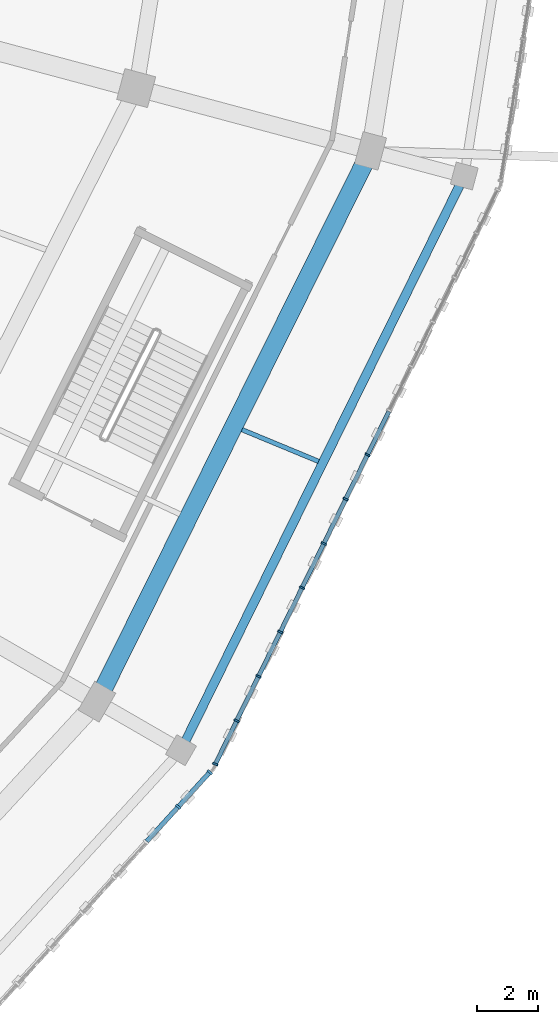
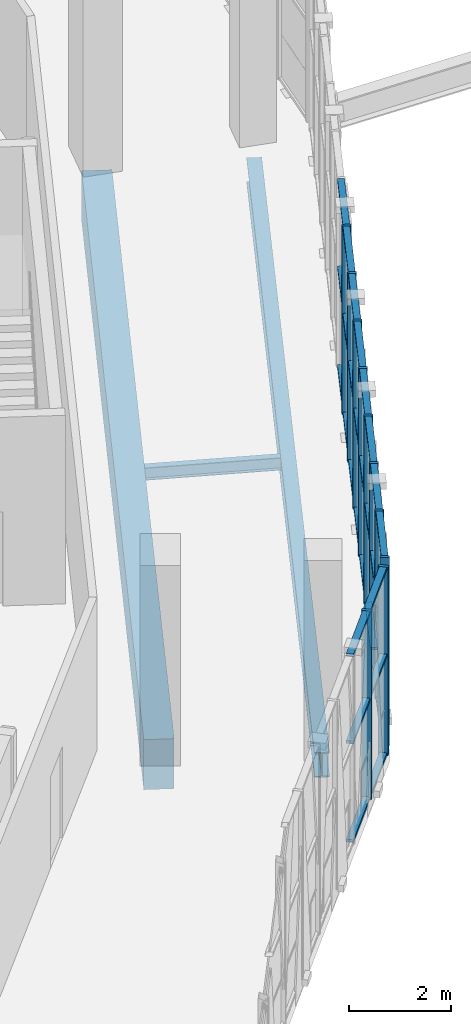
# One storey, part 37 of 183: 40 members, 3 beams, 2 elements without a shape of their own.
"""IFC4 building model written with IfcOpenShell, lengths in metres."""

from ifc_helpers import new_model, si_unit, direction, frame, origin, origin_2d, place, context, subcontext, project, spatial, rectangle, i_section, extrude, material, material_profile, profile_set, type_object, element, aggregate, save


model = new_model("IFC4")

# Units and contexts
model_context = context("Model", 3, precision=1e-05, world=origin(), true_north=direction((0.0, 1.0)))
body_context = subcontext(model_context, "Body", "Model", "MODEL_VIEW")
ifc_project = project(units=[si_unit("LENGTHUNIT", "METRE"), si_unit("AREAUNIT", "SQUARE_METRE"), si_unit("VOLUMEUNIT", "CUBIC_METRE"), si_unit("PLANEANGLEUNIT", "RADIAN"), si_unit("MASSUNIT", "GRAM", prefix="KILO")], contexts=[model_context])

# Site, building, storey
site_placement = place(None, origin())
site = spatial("IfcSite", under=ifc_project, at=site_placement, CompositionType="ELEMENT")
building_placement = place(site_placement, origin())
building = spatial("IfcBuilding", under=site, at=building_placement, Name="Zevraka Park Crest Stadium", CompositionType="ELEMENT")
storey_placement = place(building_placement, frame((0.0, 0.0, 5.39990234375)))
storey = spatial("IfcBuildingStorey", under=building, at=storey_placement, Name="L01", CompositionType="ELEMENT", Elevation=5.39990234375)

# Curtain wall, members
ifc_material_1 = material(Name="Anodised architectural aluminium and laminated safety glass", Category="aluminium")
curtain_wall_type_1 = type_object("IfcCurtainWallType", Name="CW02", PredefinedType="NOTDEFINED", material=ifc_material_1)
curtain_wall_1_placement = place(storey_placement, origin())
curtain_wall_1 = element("IfcCurtainWall", 1, at=curtain_wall_1_placement, inside=storey, type_object=curtain_wall_type_1, Name="Unitised Ring Curtain Wall CW02 L01-22", PredefinedType="NOTDEFINED")
ifc_material_2 = material(Name="Anodised architectural aluminium", Category="aluminium")
ifc_material_profile_1 = material_profile(ifc_material_2, rectangle(XDim=0.179931640625, YDim=0.06494140625, at=origin_2d()), Name="ALU MULLION 180x65")
ifc_profile_set_1 = profile_set([ifc_material_profile_1], Name="Anodised architectural aluminium")
member_type_1 = type_object("IfcMemberType", Name="CM02", PredefinedType="MULLION", material=ifc_profile_set_1)
member_1_placement = place(storey_placement, frame((194.103271484375, 52.2900390625, 0.0), z_axis=(0.0, 0.0, 1.0), x_axis=(-0.897252732312, 0.44151730924, 0.0)))
member_1 = element("IfcMember", 2, at=member_1_placement, type_object=member_type_1, Name="CW02 mullion 1", PredefinedType="MULLION", context=body_context, shape_type="SweptSolid", body=[
    extrude(rectangle(XDim=0.179931640625, YDim=0.06494140625, at=origin_2d()), origin(), (0.0, 0.0, 1.0), 4.52001953125),
])
member_2_placement = place(storey_placement, frame((194.80810546875, 53.72216796875, 0.0), z_axis=(0.0, 0.0, 1.0), x_axis=(-0.897252732312, 0.44151730924, 0.0)))
member_2 = element("IfcMember", 3, at=member_2_placement, type_object=member_type_1, Name="CW02 mullion 2", PredefinedType="MULLION", context=body_context, shape_type="SweptSolid", body=[
    extrude(rectangle(XDim=0.179931640625, YDim=0.06494140625, at=origin_2d()), origin(), (0.0, 0.0, 1.0), 4.52001953125),
])
member_3_placement = place(storey_placement, frame((195.527099609375, 55.183349609375, 0.0), z_axis=(0.0, 0.0, 1.0), x_axis=(-0.897252732312, 0.44151730924, 0.0)))
member_3 = element("IfcMember", 4, at=member_3_placement, type_object=member_type_1, Name="CW02 mullion 3", PredefinedType="MULLION", context=body_context, shape_type="SweptSolid", body=[
    extrude(rectangle(XDim=0.179931640625, YDim=0.06494140625, at=origin_2d()), origin(), (0.0, 0.0, 1.0), 4.52001953125),
])
member_4_placement = place(storey_placement, frame((196.24609375, 56.64453125, 0.0), z_axis=(0.0, 0.0, 1.0), x_axis=(-0.897252732312, 0.44151730924, 0.0)))
member_4 = element("IfcMember", 5, at=member_4_placement, type_object=member_type_1, Name="CW02 mullion 4", PredefinedType="MULLION", context=body_context, shape_type="SweptSolid", body=[
    extrude(rectangle(XDim=0.179931640625, YDim=0.06494140625, at=origin_2d()), origin(), (0.0, 0.0, 1.0), 4.52001953125),
])
member_5_placement = place(storey_placement, frame((196.965087890625, 58.105712890625, 0.0), z_axis=(0.0, 0.0, 1.0), x_axis=(-0.897252732312, 0.44151730924, 0.0)))
member_5 = element("IfcMember", 6, at=member_5_placement, type_object=member_type_1, Name="CW02 mullion 5", PredefinedType="MULLION", context=body_context, shape_type="SweptSolid", body=[
    extrude(rectangle(XDim=0.179931640625, YDim=0.06494140625, at=origin_2d()), origin(), (0.0, 0.0, 1.0), 4.52001953125),
])
member_6_placement = place(storey_placement, frame((197.68408203125, 59.566650390625, 0.0), z_axis=(0.0, 0.0, 1.0), x_axis=(-0.897252732312, 0.44151730924, 0.0)))
member_6 = element("IfcMember", 7, at=member_6_placement, type_object=member_type_1, Name="CW02 mullion 6", PredefinedType="MULLION", context=body_context, shape_type="SweptSolid", body=[
    extrude(rectangle(XDim=0.179931640625, YDim=0.06494140625, at=origin_2d()), origin(), (0.0, 0.0, 1.0), 4.52001953125),
])
member_7_placement = place(storey_placement, frame((198.403076171875, 61.02783203125, 0.0), z_axis=(0.0, 0.0, 1.0), x_axis=(-0.897252732312, 0.44151730924, 0.0)))
member_7 = element("IfcMember", 8, at=member_7_placement, type_object=member_type_1, Name="CW02 mullion 7", PredefinedType="MULLION", context=body_context, shape_type="SweptSolid", body=[
    extrude(rectangle(XDim=0.179931640625, YDim=0.06494140625, at=origin_2d()), origin(), (0.0, 0.0, 1.0), 4.52001953125),
])
member_8_placement = place(storey_placement, frame((199.1220703125, 62.489013671875, 0.0), z_axis=(0.0, 0.0, 1.0), x_axis=(-0.897252732312, 0.44151730924, 0.0)))
member_8 = element("IfcMember", 9, at=member_8_placement, type_object=member_type_1, Name="CW02 mullion 8", PredefinedType="MULLION", context=body_context, shape_type="SweptSolid", body=[
    extrude(rectangle(XDim=0.179931640625, YDim=0.06494140625, at=origin_2d()), origin(), (0.0, 0.0, 1.0), 4.52001953125),
])

ifc_material_3 = material(Name="Anodised architectural aluminium and laminated safety glass", Category="aluminium")
curtain_wall_type_2 = type_object("IfcCurtainWallType", Name="CW03", PredefinedType="NOTDEFINED", material=ifc_material_3)
curtain_wall_2_placement = place(storey_placement, origin())
curtain_wall_2 = element("IfcCurtainWall", 10, at=curtain_wall_2_placement, inside=storey, type_object=curtain_wall_type_2, Name="Unitised Ring Curtain Wall CW03 L01-21", PredefinedType="NOTDEFINED")
ifc_material_4 = material(Name="Anodised architectural aluminium", Category="aluminium")
ifc_material_profile_2 = material_profile(ifc_material_4, rectangle(XDim=0.199951171875, YDim=0.070068359375, at=origin_2d()), Name="ALU MULLION 200x70")
ifc_profile_set_2 = profile_set([ifc_material_profile_2], Name="Anodised architectural aluminium")
member_type_2 = type_object("IfcMemberType", Name="CM03", PredefinedType="MULLION", material=ifc_profile_set_2)
member_9_placement = place(storey_placement, frame((192.88330078125, 50.88427734375, 0.0), z_axis=(0.0, 0.0, 1.0), x_axis=(-0.739023476371, 0.673679672672, 0.0)))
member_9 = element("IfcMember", 11, at=member_9_placement, type_object=member_type_2, Name="CW03 mullion 14", PredefinedType="MULLION", context=body_context, shape_type="SweptSolid", body=[
    extrude(rectangle(XDim=0.199951171875, YDim=0.070068359375, at=origin_2d()), origin(), (0.0, 0.0, 1.0), 4.52001953125),
])
member_10_placement = place(storey_placement, frame((193.92236328125, 52.024169921875, 0.0), z_axis=(0.0, 0.0, 1.0), x_axis=(-0.739023476371, 0.673679672672, 0.0)))
member_10 = element("IfcMember", 12, at=member_10_placement, type_object=member_type_2, Name="CW03 mullion 15", PredefinedType="MULLION", context=body_context, shape_type="SweptSolid", body=[
    extrude(rectangle(XDim=0.199951171875, YDim=0.070068359375, at=origin_2d()), origin(), (0.0, 0.0, 1.0), 4.52001953125),
])

# Member
ifc_material_5 = material(Name="Anodised architectural aluminium", Category="aluminium")
ifc_material_profile_3 = material_profile(ifc_material_5, rectangle(XDim=0.139892578125, YDim=0.06494140625, at=origin_2d()), Name="ALU TRANSOM 140x65")
ifc_profile_set_3 = profile_set([ifc_material_profile_3], Name="Anodised architectural aluminium")
member_type_3 = type_object("IfcMemberType", Name="CT02", PredefinedType="USERDEFINED", material=ifc_profile_set_3)
member_11_placement = place(storey_placement, frame((194.11767578125, 52.3193359375, 0.03271484375), z_axis=(0.441591204786, 0.897216366244, 0.0), x_axis=(-0.897216366244, 0.441591204786, 0.0)))
member_11 = element("IfcMember", 13, at=member_11_placement, type_object=member_type_3, Name="CW02 transom 1.1", ObjectType="TRANSOM", PredefinedType="USERDEFINED", context=body_context, shape_type="SweptSolid", body=[
    extrude(rectangle(XDim=0.139892578125, YDim=0.06494140625, at=origin_2d()), origin(), (0.0, 0.0, 1.0), 1.531005859375),
])

member_12_placement = place(storey_placement, frame((194.11767578125, 52.3193359375, 2.400146484375), z_axis=(0.441591204786, 0.897216366244, 0.0), x_axis=(-0.897216366244, 0.441591204786, 0.0)))
member_12 = element("IfcMember", 14, at=member_12_placement, type_object=member_type_3, Name="CW02 transom 1.2", ObjectType="TRANSOM", PredefinedType="USERDEFINED", context=body_context, shape_type="SweptSolid", body=[
    extrude(rectangle(XDim=0.139892578125, YDim=0.06494140625, at=origin_2d()), origin(), (0.0, 0.0, 1.0), 1.531005859375),
])

member_13_placement = place(storey_placement, frame((194.11767578125, 52.3193359375, 4.487548828125), z_axis=(0.441591204786, 0.897216366244, 0.0), x_axis=(-0.897216366244, 0.441591204786, 0.0)))
member_13 = element("IfcMember", 15, at=member_13_placement, type_object=member_type_3, Name="CW02 transom 1.3", ObjectType="TRANSOM", PredefinedType="USERDEFINED", context=body_context, shape_type="SweptSolid", body=[
    extrude(rectangle(XDim=0.139892578125, YDim=0.06494140625, at=origin_2d()), origin(), (0.0, 0.0, 1.0), 1.531005859375),
])

member_14_placement = place(storey_placement, frame((194.822265625, 53.751220703125, 0.03271484375), z_axis=(0.441583474331, 0.897220170971, 0.0), x_axis=(-0.897220170971, 0.441583474331, 0.0)))
member_14 = element("IfcMember", 16, at=member_14_placement, type_object=member_type_3, Name="CW02 transom 2.1", ObjectType="TRANSOM", PredefinedType="USERDEFINED", context=body_context, shape_type="SweptSolid", body=[
    extrude(rectangle(XDim=0.139892578125, YDim=0.06494140625, at=origin_2d()), origin(), (0.0, 0.0, 1.0), 1.5634765625),
])

member_15_placement = place(storey_placement, frame((194.822265625, 53.751220703125, 2.400146484375), z_axis=(0.441583474331, 0.897220170971, 0.0), x_axis=(-0.897220170971, 0.441583474331, 0.0)))
member_15 = element("IfcMember", 17, at=member_15_placement, type_object=member_type_3, Name="CW02 transom 2.2", ObjectType="TRANSOM", PredefinedType="USERDEFINED", context=body_context, shape_type="SweptSolid", body=[
    extrude(rectangle(XDim=0.139892578125, YDim=0.06494140625, at=origin_2d()), origin(), (0.0, 0.0, 1.0), 1.5634765625),
])

member_16_placement = place(storey_placement, frame((194.822265625, 53.751220703125, 4.487548828125), z_axis=(0.441583474331, 0.897220170971, 0.0), x_axis=(-0.897220170971, 0.441583474331, 0.0)))
member_16 = element("IfcMember", 18, at=member_16_placement, type_object=member_type_3, Name="CW02 transom 2.3", ObjectType="TRANSOM", PredefinedType="USERDEFINED", context=body_context, shape_type="SweptSolid", body=[
    extrude(rectangle(XDim=0.139892578125, YDim=0.06494140625, at=origin_2d()), origin(), (0.0, 0.0, 1.0), 1.5634765625),
])

member_17_placement = place(storey_placement, frame((195.541259765625, 55.21240234375, 0.03271484375), z_axis=(0.441583474331, 0.897220170971, 0.0), x_axis=(-0.897220170971, 0.441583474331, 0.0)))
member_17 = element("IfcMember", 19, at=member_17_placement, type_object=member_type_3, Name="CW02 transom 3.1", ObjectType="TRANSOM", PredefinedType="USERDEFINED", context=body_context, shape_type="SweptSolid", body=[
    extrude(rectangle(XDim=0.139892578125, YDim=0.06494140625, at=origin_2d()), origin(), (0.0, 0.0, 1.0), 1.5634765625),
])

member_18_placement = place(storey_placement, frame((195.541259765625, 55.21240234375, 2.400146484375), z_axis=(0.441583474331, 0.897220170971, 0.0), x_axis=(-0.897220170971, 0.441583474331, 0.0)))
member_18 = element("IfcMember", 20, at=member_18_placement, type_object=member_type_3, Name="CW02 transom 3.2", ObjectType="TRANSOM", PredefinedType="USERDEFINED", context=body_context, shape_type="SweptSolid", body=[
    extrude(rectangle(XDim=0.139892578125, YDim=0.06494140625, at=origin_2d()), origin(), (0.0, 0.0, 1.0), 1.5634765625),
])

member_19_placement = place(storey_placement, frame((195.541259765625, 55.21240234375, 4.487548828125), z_axis=(0.441583474331, 0.897220170971, 0.0), x_axis=(-0.897220170971, 0.441583474331, 0.0)))
member_19 = element("IfcMember", 21, at=member_19_placement, type_object=member_type_3, Name="CW02 transom 3.3", ObjectType="TRANSOM", PredefinedType="USERDEFINED", context=body_context, shape_type="SweptSolid", body=[
    extrude(rectangle(XDim=0.139892578125, YDim=0.06494140625, at=origin_2d()), origin(), (0.0, 0.0, 1.0), 1.5634765625),
])

member_20_placement = place(storey_placement, frame((196.26025390625, 56.673583984375, 0.03271484375), z_axis=(0.441583474331, 0.897220170971, 0.0), x_axis=(-0.897220170971, 0.441583474331, 0.0)))
member_20 = element("IfcMember", 22, at=member_20_placement, type_object=member_type_3, Name="CW02 transom 4.1", ObjectType="TRANSOM", PredefinedType="USERDEFINED", context=body_context, shape_type="SweptSolid", body=[
    extrude(rectangle(XDim=0.139892578125, YDim=0.06494140625, at=origin_2d()), origin(), (0.0, 0.0, 1.0), 1.5634765625),
])

member_21_placement = place(storey_placement, frame((196.26025390625, 56.673583984375, 2.400146484375), z_axis=(0.441583474331, 0.897220170971, 0.0), x_axis=(-0.897220170971, 0.441583474331, 0.0)))
member_21 = element("IfcMember", 23, at=member_21_placement, type_object=member_type_3, Name="CW02 transom 4.2", ObjectType="TRANSOM", PredefinedType="USERDEFINED", context=body_context, shape_type="SweptSolid", body=[
    extrude(rectangle(XDim=0.139892578125, YDim=0.06494140625, at=origin_2d()), origin(), (0.0, 0.0, 1.0), 1.5634765625),
])

member_22_placement = place(storey_placement, frame((196.26025390625, 56.673583984375, 4.487548828125), z_axis=(0.441583474331, 0.897220170971, 0.0), x_axis=(-0.897220170971, 0.441583474331, 0.0)))
member_22 = element("IfcMember", 24, at=member_22_placement, type_object=member_type_3, Name="CW02 transom 4.3", ObjectType="TRANSOM", PredefinedType="USERDEFINED", context=body_context, shape_type="SweptSolid", body=[
    extrude(rectangle(XDim=0.139892578125, YDim=0.06494140625, at=origin_2d()), origin(), (0.0, 0.0, 1.0), 1.5634765625),
])

member_23_placement = place(storey_placement, frame((196.979248046875, 58.134765625, 0.03271484375), z_axis=(0.441583474331, 0.897220170971, 0.0), x_axis=(-0.897220170971, 0.441583474331, 0.0)))
member_23 = element("IfcMember", 25, at=member_23_placement, type_object=member_type_3, Name="CW02 transom 5.1", ObjectType="TRANSOM", PredefinedType="USERDEFINED", context=body_context, shape_type="SweptSolid", body=[
    extrude(rectangle(XDim=0.139892578125, YDim=0.06494140625, at=origin_2d()), origin(), (0.0, 0.0, 1.0), 1.5634765625),
])

member_24_placement = place(storey_placement, frame((196.979248046875, 58.134765625, 2.400146484375), z_axis=(0.441583474331, 0.897220170971, 0.0), x_axis=(-0.897220170971, 0.441583474331, 0.0)))
member_24 = element("IfcMember", 26, at=member_24_placement, type_object=member_type_3, Name="CW02 transom 5.2", ObjectType="TRANSOM", PredefinedType="USERDEFINED", context=body_context, shape_type="SweptSolid", body=[
    extrude(rectangle(XDim=0.139892578125, YDim=0.06494140625, at=origin_2d()), origin(), (0.0, 0.0, 1.0), 1.5634765625),
])

member_25_placement = place(storey_placement, frame((196.979248046875, 58.134765625, 4.487548828125), z_axis=(0.441583474331, 0.897220170971, 0.0), x_axis=(-0.897220170971, 0.441583474331, 0.0)))
member_25 = element("IfcMember", 27, at=member_25_placement, type_object=member_type_3, Name="CW02 transom 5.3", ObjectType="TRANSOM", PredefinedType="USERDEFINED", context=body_context, shape_type="SweptSolid", body=[
    extrude(rectangle(XDim=0.139892578125, YDim=0.06494140625, at=origin_2d()), origin(), (0.0, 0.0, 1.0), 1.5634765625),
])

member_26_placement = place(storey_placement, frame((197.6982421875, 59.595947265625, 0.03271484375), z_axis=(0.441583474331, 0.897220170971, 0.0), x_axis=(-0.897220170971, 0.441583474331, 0.0)))
member_26 = element("IfcMember", 28, at=member_26_placement, type_object=member_type_3, Name="CW02 transom 6.1", ObjectType="TRANSOM", PredefinedType="USERDEFINED", context=body_context, shape_type="SweptSolid", body=[
    extrude(rectangle(XDim=0.139892578125, YDim=0.06494140625, at=origin_2d()), origin(), (0.0, 0.0, 1.0), 1.5634765625),
])

member_27_placement = place(storey_placement, frame((197.6982421875, 59.595947265625, 2.400146484375), z_axis=(0.441583474331, 0.897220170971, 0.0), x_axis=(-0.897220170971, 0.441583474331, 0.0)))
member_27 = element("IfcMember", 29, at=member_27_placement, type_object=member_type_3, Name="CW02 transom 6.2", ObjectType="TRANSOM", PredefinedType="USERDEFINED", context=body_context, shape_type="SweptSolid", body=[
    extrude(rectangle(XDim=0.139892578125, YDim=0.06494140625, at=origin_2d()), origin(), (0.0, 0.0, 1.0), 1.5634765625),
])

member_28_placement = place(storey_placement, frame((197.6982421875, 59.595947265625, 4.487548828125), z_axis=(0.441583474331, 0.897220170971, 0.0), x_axis=(-0.897220170971, 0.441583474331, 0.0)))
member_28 = element("IfcMember", 30, at=member_28_placement, type_object=member_type_3, Name="CW02 transom 6.3", ObjectType="TRANSOM", PredefinedType="USERDEFINED", context=body_context, shape_type="SweptSolid", body=[
    extrude(rectangle(XDim=0.139892578125, YDim=0.06494140625, at=origin_2d()), origin(), (0.0, 0.0, 1.0), 1.5634765625),
])

member_29_placement = place(storey_placement, frame((198.417236328125, 61.05712890625, 0.03271484375), z_axis=(0.441583474331, 0.897220170971, 0.0), x_axis=(-0.897220170971, 0.441583474331, 0.0)))
member_29 = element("IfcMember", 31, at=member_29_placement, type_object=member_type_3, Name="CW02 transom 7.1", ObjectType="TRANSOM", PredefinedType="USERDEFINED", context=body_context, shape_type="SweptSolid", body=[
    extrude(rectangle(XDim=0.139892578125, YDim=0.06494140625, at=origin_2d()), origin(), (0.0, 0.0, 1.0), 1.5634765625),
])

member_30_placement = place(storey_placement, frame((198.417236328125, 61.05712890625, 2.400146484375), z_axis=(0.441583474331, 0.897220170971, 0.0), x_axis=(-0.897220170971, 0.441583474331, 0.0)))
member_30 = element("IfcMember", 32, at=member_30_placement, type_object=member_type_3, Name="CW02 transom 7.2", ObjectType="TRANSOM", PredefinedType="USERDEFINED", context=body_context, shape_type="SweptSolid", body=[
    extrude(rectangle(XDim=0.139892578125, YDim=0.06494140625, at=origin_2d()), origin(), (0.0, 0.0, 1.0), 1.5634765625),
])

member_31_placement = place(storey_placement, frame((198.417236328125, 61.05712890625, 4.487548828125), z_axis=(0.441583474331, 0.897220170971, 0.0), x_axis=(-0.897220170971, 0.441583474331, 0.0)))
member_31 = element("IfcMember", 33, at=member_31_placement, type_object=member_type_3, Name="CW02 transom 7.3", ObjectType="TRANSOM", PredefinedType="USERDEFINED", context=body_context, shape_type="SweptSolid", body=[
    extrude(rectangle(XDim=0.139892578125, YDim=0.06494140625, at=origin_2d()), origin(), (0.0, 0.0, 1.0), 1.5634765625),
])

member_32_placement = place(storey_placement, frame((199.13623046875, 62.518310546875, 0.03271484375), z_axis=(0.441583474331, 0.897220170971, 0.0), x_axis=(-0.897220170971, 0.441583474331, 0.0)))
member_32 = element("IfcMember", 34, at=member_32_placement, type_object=member_type_3, Name="CW02 transom 8.1", ObjectType="TRANSOM", PredefinedType="USERDEFINED", context=body_context, shape_type="SweptSolid", body=[
    extrude(rectangle(XDim=0.139892578125, YDim=0.06494140625, at=origin_2d()), origin(), (0.0, 0.0, 1.0), 1.5634765625),
])

member_33_placement = place(storey_placement, frame((199.13623046875, 62.518310546875, 2.400146484375), z_axis=(0.441583474331, 0.897220170971, 0.0), x_axis=(-0.897220170971, 0.441583474331, 0.0)))
member_33 = element("IfcMember", 35, at=member_33_placement, type_object=member_type_3, Name="CW02 transom 8.2", ObjectType="TRANSOM", PredefinedType="USERDEFINED", context=body_context, shape_type="SweptSolid", body=[
    extrude(rectangle(XDim=0.139892578125, YDim=0.06494140625, at=origin_2d()), origin(), (0.0, 0.0, 1.0), 1.5634765625),
])

member_34_placement = place(storey_placement, frame((199.13623046875, 62.518310546875, 4.487548828125), z_axis=(0.441583474331, 0.897220170971, 0.0), x_axis=(-0.897220170971, 0.441583474331, 0.0)))
member_34 = element("IfcMember", 36, at=member_34_placement, type_object=member_type_3, Name="CW02 transom 8.3", ObjectType="TRANSOM", PredefinedType="USERDEFINED", context=body_context, shape_type="SweptSolid", body=[
    extrude(rectangle(XDim=0.139892578125, YDim=0.06494140625, at=origin_2d()), origin(), (0.0, 0.0, 1.0), 1.5634765625),
])

aggregate(curtain_wall_1, [member_1, member_2, member_3, member_4, member_5, member_6, member_7, member_8, member_11, member_12, member_13, member_14, member_15, member_16, member_17, member_18, member_19, member_20, member_21, member_22, member_23, member_24, member_25, member_26, member_27, member_28, member_29, member_30, member_31, member_32, member_33, member_34])

ifc_material_6 = material(Name="Anodised architectural aluminium", Category="aluminium")
ifc_material_profile_4 = material_profile(ifc_material_6, rectangle(XDim=0.14990234375, YDim=0.070068359375, at=origin_2d()), Name="ALU TRANSOM 150x70")
ifc_profile_set_4 = profile_set([ifc_material_profile_4], Name="Anodised architectural aluminium")
member_type_4 = type_object("IfcMemberType", Name="CT03", PredefinedType="USERDEFINED", material=ifc_profile_set_4)
member_35_placement = place(storey_placement, frame((191.84423828125, 49.744384765625, 0.03515625), z_axis=(0.673720043681, 0.738986672913, 0.0), x_axis=(-0.738986672913, 0.673720043681, 0.0)))
member_35 = element("IfcMember", 37, at=member_35_placement, type_object=member_type_4, Name="CW03 transom 13.1", ObjectType="TRANSOM", PredefinedType="USERDEFINED", context=body_context, shape_type="SweptSolid", body=[
    extrude(rectangle(XDim=0.14990234375, YDim=0.070068359375, at=origin_2d()), origin(), (0.0, 0.0, 1.0), 1.507568359375),
])

member_36_placement = place(storey_placement, frame((191.84423828125, 49.744384765625, 2.400146484375), z_axis=(0.673720043681, 0.738986672913, 0.0), x_axis=(-0.738986672913, 0.673720043681, 0.0)))
member_36 = element("IfcMember", 38, at=member_36_placement, type_object=member_type_4, Name="CW03 transom 13.2", ObjectType="TRANSOM", PredefinedType="USERDEFINED", context=body_context, shape_type="SweptSolid", body=[
    extrude(rectangle(XDim=0.14990234375, YDim=0.070068359375, at=origin_2d()), origin(), (0.0, 0.0, 1.0), 1.507568359375),
])

member_37_placement = place(storey_placement, frame((191.84423828125, 49.744384765625, 4.485107421875), z_axis=(0.673720043681, 0.738986672913, 0.0), x_axis=(-0.738986672913, 0.673720043681, 0.0)))
member_37 = element("IfcMember", 39, at=member_37_placement, type_object=member_type_4, Name="CW03 transom 13.3", ObjectType="TRANSOM", PredefinedType="USERDEFINED", context=body_context, shape_type="SweptSolid", body=[
    extrude(rectangle(XDim=0.14990234375, YDim=0.070068359375, at=origin_2d()), origin(), (0.0, 0.0, 1.0), 1.507568359375),
])

member_38_placement = place(storey_placement, frame((192.906982421875, 50.91015625, 0.03515625), z_axis=(0.673687280194, 0.739016541429, 0.0), x_axis=(-0.739016541429, 0.673687280194, 0.0)))
member_38 = element("IfcMember", 40, at=member_38_placement, type_object=member_type_4, Name="CW03 transom 14.1", ObjectType="TRANSOM", PredefinedType="USERDEFINED", context=body_context, shape_type="SweptSolid", body=[
    extrude(rectangle(XDim=0.14990234375, YDim=0.070068359375, at=origin_2d()), origin(), (0.0, 0.0, 1.0), 1.472412109375),
])

member_39_placement = place(storey_placement, frame((192.906982421875, 50.91015625, 2.400146484375), z_axis=(0.673687280194, 0.739016541429, 0.0), x_axis=(-0.739016541429, 0.673687280194, 0.0)))
member_39 = element("IfcMember", 41, at=member_39_placement, type_object=member_type_4, Name="CW03 transom 14.2", ObjectType="TRANSOM", PredefinedType="USERDEFINED", context=body_context, shape_type="SweptSolid", body=[
    extrude(rectangle(XDim=0.14990234375, YDim=0.070068359375, at=origin_2d()), origin(), (0.0, 0.0, 1.0), 1.472412109375),
])

member_40_placement = place(storey_placement, frame((192.906982421875, 50.91015625, 4.485107421875), z_axis=(0.673687280194, 0.739016541429, 0.0), x_axis=(-0.739016541429, 0.673687280194, 0.0)))
member_40 = element("IfcMember", 42, at=member_40_placement, type_object=member_type_4, Name="CW03 transom 14.3", ObjectType="TRANSOM", PredefinedType="USERDEFINED", context=body_context, shape_type="SweptSolid", body=[
    extrude(rectangle(XDim=0.14990234375, YDim=0.070068359375, at=origin_2d()), origin(), (0.0, 0.0, 1.0), 1.472412109375),
])

aggregate(curtain_wall_2, [member_9, member_10, member_35, member_36, member_37, member_38, member_39, member_40])

# Beams
ifc_material_7 = material(Name="Concrete C40/50", Category="concrete")
ifc_material_profile_5 = material_profile(ifc_material_7, rectangle(XDim=0.60009765625, YDim=1.199951171875, at=origin_2d()), Name="RC 1200x600")
ifc_profile_set_5 = profile_set([ifc_material_profile_5], Name="Concrete C40/50")
beam_type_1 = type_object("IfcBeamType", Name="RB01", PredefinedType="BEAM", material=ifc_profile_set_5)
beam_1_placement = place(storey_placement, frame((190.37109375, 54.68994140625, -0.60986328125), z_axis=(0.444850507814, 0.895604837916, 0.0), x_axis=(-0.895604837916, 0.444850507814, 0.0)))
element("IfcBeam", 43, at=beam_1_placement, inside=storey, type_object=beam_type_1, Name="Ring Beam RB01 L01-D-22", PredefinedType="BEAM", context=body_context, shape_type="SweptSolid", body=[
    extrude(rectangle(XDim=0.60009765625, YDim=1.199951171875, at=origin_2d()), origin(), (0.0, 0.0, 1.0), 19.5185546875),
])
ifc_material_8 = material(Name="Steel S355", Category="steel")
ifc_material_profile_6 = material_profile(ifc_material_8, i_section(OverallWidth=0.300048828125, OverallDepth=0.60009765625, WebThickness=0.015380859375, FlangeThickness=0.030029296875, at=origin_2d()), Name="HEB 600")
ifc_profile_set_6 = profile_set([ifc_material_profile_6], Name="Steel S355")
beam_type_2 = type_object("IfcBeamType", Name="RB03", PredefinedType="BEAM", material=ifc_profile_set_6)
beam_2_placement = place(storey_placement, frame((193.1279296875, 53.06396484375, -0.60498046875), z_axis=(0.442446810597, 0.896794747862, 0.0), x_axis=(-0.896794747862, 0.442446810597, 0.0)))
element("IfcBeam", 44, at=beam_2_placement, inside=storey, type_object=beam_type_2, Name="Ring Beam RB03 L01-E-22", PredefinedType="BEAM", context=body_context, shape_type="SweptSolid", body=[
    extrude(i_section(OverallWidth=0.300048828125, OverallDepth=0.60009765625, WebThickness=0.015380859375, FlangeThickness=0.030029296875, at=origin_2d()), origin(), (0.0, 0.0, 1.0), 20.41162109375),
])
ifc_material_9 = material(Name="Steel S355", Category="steel")
ifc_material_profile_7 = material_profile(ifc_material_9, i_section(OverallWidth=0.14990234375, OverallDepth=0.300048828125, WebThickness=0.007080078125, FlangeThickness=0.0107421875, at=origin_2d()), Name="IPE 300")
ifc_profile_set_7 = profile_set([ifc_material_profile_7], Name="Steel S355")
beam_type_3 = type_object("IfcBeamType", Name="SJ01", PredefinedType="JOIST", material=ifc_profile_set_7)
beam_3_placement = place(storey_placement, frame((194.985107421875, 63.318115234375, -0.4580078125), z_axis=(0.923841523408, -0.382775181571, 0.0), x_axis=(0.382775181571, 0.923841523408, 0.0)))
element("IfcBeam", 45, at=beam_3_placement, inside=storey, type_object=beam_type_3, Name="Floor Joist SJ01 L01-DE-22-1", PredefinedType="JOIST", context=body_context, shape_type="SweptSolid", body=[
    extrude(i_section(OverallWidth=0.14990234375, OverallDepth=0.300048828125, WebThickness=0.007080078125, FlangeThickness=0.0107421875, at=origin_2d()), origin(), (0.0, 0.0, 1.0), 2.733154296875),
])

save(model, "model.ifc")
